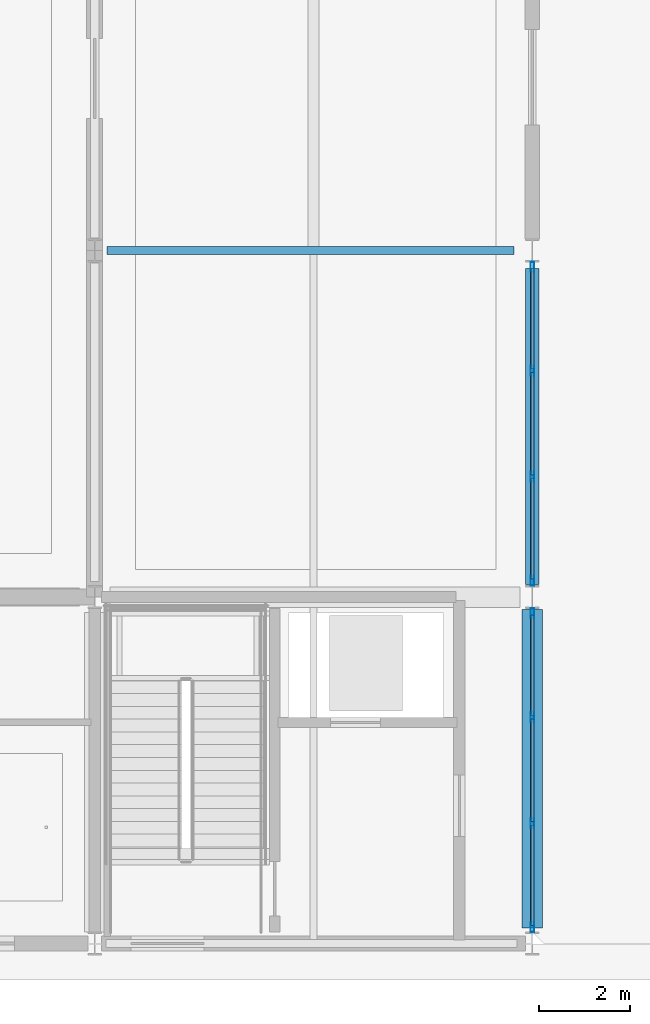
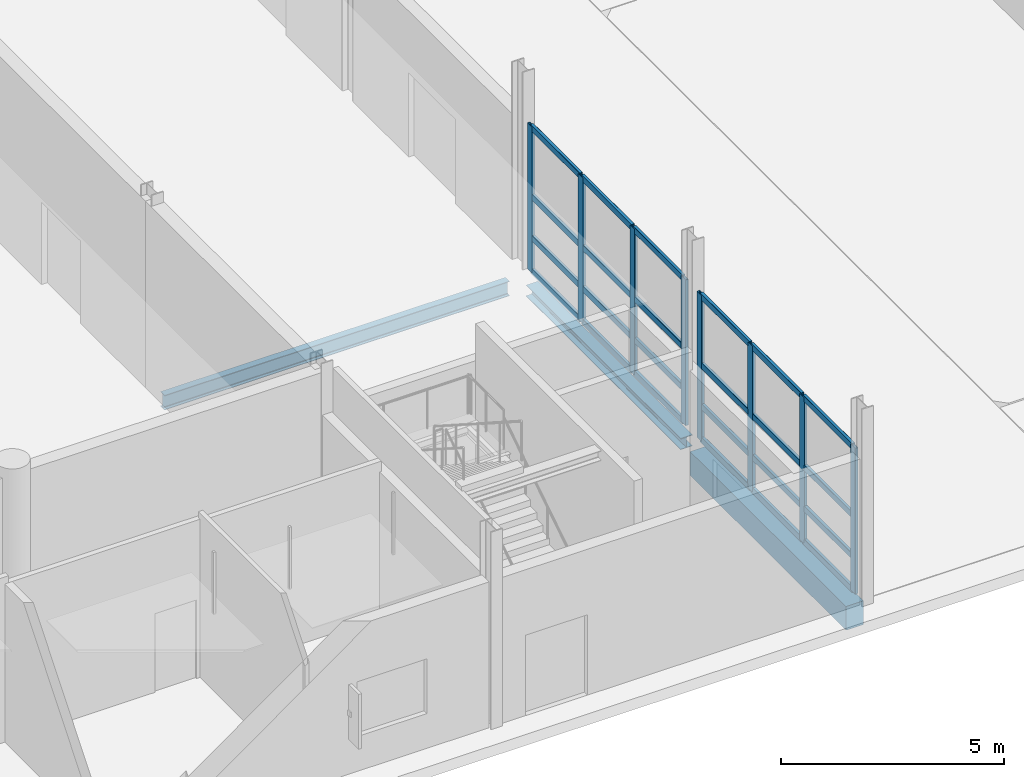
# One storey, part 12 of 126: 32 members, 3 beams, 2 elements without a shape of their own.
"""IFC4 building model written with IfcOpenShell, lengths in metres."""

from ifc_helpers import new_model, si_unit, direction, frame, origin, origin_2d, place, context, subcontext, project, spatial, rectangle, hollow_rectangle, i_section, extrude, material, material_profile, profile_set, type_object, element, aggregate, save


model = new_model("IFC4")

# Units and contexts
model_context = context("Model", 3, precision=1e-05, world=origin(), true_north=direction((0.0, 1.0)))
body_context = subcontext(model_context, "Body", "Model", "MODEL_VIEW")
ifc_project = project(units=[si_unit("LENGTHUNIT", "METRE"), si_unit("AREAUNIT", "SQUARE_METRE"), si_unit("VOLUMEUNIT", "CUBIC_METRE"), si_unit("PLANEANGLEUNIT", "RADIAN"), si_unit("MASSUNIT", "GRAM", prefix="KILO")], contexts=[model_context])

# Site, building, storey
site_placement = place(None, origin())
site = spatial("IfcSite", under=ifc_project, at=site_placement, CompositionType="ELEMENT")
building_placement = place(site_placement, origin())
building = spatial("IfcBuilding", under=site, at=building_placement, Name="Khelvaren Railside Concert Hall", CompositionType="ELEMENT")
storey_placement = place(building_placement, origin())
storey = spatial("IfcBuildingStorey", under=building, at=storey_placement, Name="L00", CompositionType="ELEMENT", Elevation=0.0)

# Beam
ifc_material_1 = material(Name="Steel S355", Category="steel")
ifc_material_profile_1 = material_profile(ifc_material_1, i_section(OverallWidth=0.179931640625, OverallDepth=0.39990234375, WebThickness=0.008544921875, FlangeThickness=0.013427734375, FilletRadius=0.02099609375, at=origin_2d()), Name="IPE 400")
ifc_profile_set_1 = profile_set([ifc_material_profile_1], Name="Steel S355")
beam_type_1 = type_object("IfcBeamType", Name="BM29", PredefinedType="BEAM", material=ifc_profile_set_1)
beam_1_placement = place(storey_placement, frame((40.27294921875, 15.199951171875, -0.52001953125), z_axis=(1.0, 0.0, 0.0), x_axis=(0.0, 1.0, 0.0)))
element("IfcBeam", 1, at=beam_1_placement, inside=storey, type_object=beam_type_1, Name="V1 L00 Beam X3.6", PredefinedType="BEAM", context=body_context, shape_type="SweptSolid", body=[
    extrude(i_section(OverallWidth=0.179931640625, OverallDepth=0.39990234375, WebThickness=0.008544921875, FlangeThickness=0.013427734375, FilletRadius=0.02099609375, at=origin_2d()), origin(), (0.0, 0.0, 1.0), 8.927001953125),
])

# Curtain wall, members
ifc_material_2 = material(Name="Triple-glazed solar-control glass", Category="glass")
curtain_wall_type_1 = type_object("IfcCurtainWallType", Name="CW88", PredefinedType="USERDEFINED", material=ifc_material_2)
curtain_wall_1_placement = place(storey_placement, origin())
curtain_wall_1 = element("IfcCurtainWall", 2, at=curtain_wall_1_placement, inside=storey, type_object=curtain_wall_type_1, Name="Unitised Curtain Wall CW-V1-L00-E-0", ObjectType="UNITISED CURTAIN WALL", PredefinedType="USERDEFINED")
ifc_material_3 = material(Name="Anodised architectural aluminium 6063-T6", Category="aluminium")
ifc_material_profile_2 = material_profile(ifc_material_3, hollow_rectangle(XDim=0.074951171875, YDim=0.219970703125, WallThickness=0.0048828125, InnerFilletRadius=0.0029296875, OuterFilletRadius=0.0048828125, at=origin_2d()), Name="CWM 75x220x5")
ifc_profile_set_2 = profile_set([ifc_material_profile_2], Name="Anodised architectural aluminium 6063-T6")
member_type_1 = type_object("IfcMemberType", Name="CWM13", PredefinedType="MULLION", material=ifc_profile_set_2)
member_1_placement = place(storey_placement, frame((49.60009765625, 7.239990234375, 0.0), z_axis=(0.0, 0.0, 1.0), x_axis=(1.0, 0.0, 0.0)))
member_1 = element("IfcMember", 3, at=member_1_placement, type_object=member_type_1, Name="CW88 mullion 1", PredefinedType="MULLION", context=body_context, shape_type="SweptSolid", body=[
    extrude(hollow_rectangle(XDim=0.074951171875, YDim=0.219970703125, WallThickness=0.0048828125, InnerFilletRadius=0.0029296875, OuterFilletRadius=0.0048828125, at=origin_2d()), origin(), (0.0, 0.0, 1.0), 3.989990234375),
])
member_2_placement = place(storey_placement, frame((49.60009765625, 4.959228515625, 0.0), z_axis=(0.0, 0.0, 1.0), x_axis=(1.0, 0.0, 0.0)))
member_2 = element("IfcMember", 4, at=member_2_placement, type_object=member_type_1, Name="CW88 mullion 2", PredefinedType="MULLION", context=body_context, shape_type="SweptSolid", body=[
    extrude(hollow_rectangle(XDim=0.074951171875, YDim=0.219970703125, WallThickness=0.0048828125, InnerFilletRadius=0.0029296875, OuterFilletRadius=0.0048828125, at=origin_2d()), origin(), (0.0, 0.0, 1.0), 3.989990234375),
])
member_3_placement = place(storey_placement, frame((49.60009765625, 2.640869140625, 0.0), z_axis=(0.0, 0.0, 1.0), x_axis=(1.0, 0.0, 0.0)))
member_3 = element("IfcMember", 5, at=member_3_placement, type_object=member_type_1, Name="CW88 mullion 3", PredefinedType="MULLION", context=body_context, shape_type="SweptSolid", body=[
    extrude(hollow_rectangle(XDim=0.074951171875, YDim=0.219970703125, WallThickness=0.0048828125, InnerFilletRadius=0.0029296875, OuterFilletRadius=0.0048828125, at=origin_2d()), origin(), (0.0, 0.0, 1.0), 3.989990234375),
])
member_4_placement = place(storey_placement, frame((49.60009765625, 0.360107421875, 0.0), z_axis=(0.0, 0.0, 1.0), x_axis=(1.0, 0.0, 0.0)))
member_4 = element("IfcMember", 6, at=member_4_placement, type_object=member_type_1, Name="CW88 mullion 4", PredefinedType="MULLION", context=body_context, shape_type="SweptSolid", body=[
    extrude(hollow_rectangle(XDim=0.074951171875, YDim=0.219970703125, WallThickness=0.0048828125, InnerFilletRadius=0.0029296875, OuterFilletRadius=0.0048828125, at=origin_2d()), origin(), (0.0, 0.0, 1.0), 3.989990234375),
])

curtain_wall_type_2 = type_object("IfcCurtainWallType", Name="CW14", PredefinedType="USERDEFINED", material=ifc_material_2)
curtain_wall_2_placement = place(storey_placement, origin())
curtain_wall_2 = element("IfcCurtainWall", 7, at=curtain_wall_2_placement, inside=storey, type_object=curtain_wall_type_2, Name="Unitised Curtain Wall CW-V1-L00-E-8", ObjectType="UNITISED CURTAIN WALL", PredefinedType="USERDEFINED")
member_5_placement = place(storey_placement, frame((49.60009765625, 14.840087890625, 0.0), z_axis=(0.0, 0.0, 1.0), x_axis=(1.0, 0.0, 0.0)))
member_5 = element("IfcMember", 8, at=member_5_placement, type_object=member_type_1, Name="CW14 mullion 1", PredefinedType="MULLION", context=body_context, shape_type="SweptSolid", body=[
    extrude(hollow_rectangle(XDim=0.074951171875, YDim=0.219970703125, WallThickness=0.0048828125, InnerFilletRadius=0.0029296875, OuterFilletRadius=0.0048828125, at=origin_2d()), origin(), (0.0, 0.0, 1.0), 3.989990234375),
])
member_6_placement = place(storey_placement, frame((49.60009765625, 12.55908203125, 0.0), z_axis=(0.0, 0.0, 1.0), x_axis=(1.0, 0.0, 0.0)))
member_6 = element("IfcMember", 9, at=member_6_placement, type_object=member_type_1, Name="CW14 mullion 2", PredefinedType="MULLION", context=body_context, shape_type="SweptSolid", body=[
    extrude(hollow_rectangle(XDim=0.074951171875, YDim=0.219970703125, WallThickness=0.0048828125, InnerFilletRadius=0.0029296875, OuterFilletRadius=0.0048828125, at=origin_2d()), origin(), (0.0, 0.0, 1.0), 3.989990234375),
])
member_7_placement = place(storey_placement, frame((49.60009765625, 10.24072265625, 0.0), z_axis=(0.0, 0.0, 1.0), x_axis=(1.0, 0.0, 0.0)))
member_7 = element("IfcMember", 10, at=member_7_placement, type_object=member_type_1, Name="CW14 mullion 3", PredefinedType="MULLION", context=body_context, shape_type="SweptSolid", body=[
    extrude(hollow_rectangle(XDim=0.074951171875, YDim=0.219970703125, WallThickness=0.0048828125, InnerFilletRadius=0.0029296875, OuterFilletRadius=0.0048828125, at=origin_2d()), origin(), (0.0, 0.0, 1.0), 3.989990234375),
])
member_8_placement = place(storey_placement, frame((49.60009765625, 7.9599609375, 0.0), z_axis=(0.0, 0.0, 1.0), x_axis=(1.0, 0.0, 0.0)))
member_8 = element("IfcMember", 11, at=member_8_placement, type_object=member_type_1, Name="CW14 mullion 4", PredefinedType="MULLION", context=body_context, shape_type="SweptSolid", body=[
    extrude(hollow_rectangle(XDim=0.074951171875, YDim=0.219970703125, WallThickness=0.0048828125, InnerFilletRadius=0.0029296875, OuterFilletRadius=0.0048828125, at=origin_2d()), origin(), (0.0, 0.0, 1.0), 3.989990234375),
])

# Member
ifc_material_profile_3 = material_profile(ifc_material_3, hollow_rectangle(XDim=0.074951171875, YDim=0.1650390625, WallThickness=0.00390625, InnerFilletRadius=0.001953125, OuterFilletRadius=0.00390625, at=origin_2d()), Name="CWT 75x165x4")
ifc_profile_set_3 = profile_set([ifc_material_profile_3], Name="Anodised architectural aluminium 6063-T6")
member_type_2 = type_object("IfcMemberType", Name="CWT46", PredefinedType="USERDEFINED", material=ifc_profile_set_3)
member_9_placement = place(storey_placement, frame((49.60009765625, 7.202392578125, 0.03759765625), z_axis=(0.0, -1.0, 0.0), x_axis=(1.0, 0.0, 0.0)))
member_9 = element("IfcMember", 12, at=member_9_placement, type_object=member_type_2, Name="CW88 transom 1.1", ObjectType="TRANSOM", PredefinedType="USERDEFINED", context=body_context, shape_type="SweptSolid", body=[
    extrude(hollow_rectangle(XDim=0.074951171875, YDim=0.1650390625, WallThickness=0.00390625, InnerFilletRadius=0.001953125, OuterFilletRadius=0.00390625, at=origin_2d()), origin(), (0.0, 0.0, 1.0), 2.205810546875),
])

member_10_placement = place(storey_placement, frame((49.60009765625, 7.202392578125, 0.949951171875), z_axis=(0.0, -1.0, 0.0), x_axis=(1.0, 0.0, 0.0)))
member_10 = element("IfcMember", 13, at=member_10_placement, type_object=member_type_2, Name="CW88 transom 1.2", ObjectType="TRANSOM", PredefinedType="USERDEFINED", context=body_context, shape_type="SweptSolid", body=[
    extrude(hollow_rectangle(XDim=0.074951171875, YDim=0.1650390625, WallThickness=0.00390625, InnerFilletRadius=0.001953125, OuterFilletRadius=0.00390625, at=origin_2d()), origin(), (0.0, 0.0, 1.0), 2.205810546875),
])

member_11_placement = place(storey_placement, frame((49.60009765625, 7.202392578125, 2.07470703125), z_axis=(0.0, -1.0, 0.0), x_axis=(1.0, 0.0, 0.0)))
member_11 = element("IfcMember", 14, at=member_11_placement, type_object=member_type_2, Name="CW88 transom 1.3", ObjectType="TRANSOM", PredefinedType="USERDEFINED", context=body_context, shape_type="SweptSolid", body=[
    extrude(hollow_rectangle(XDim=0.074951171875, YDim=0.1650390625, WallThickness=0.00390625, InnerFilletRadius=0.001953125, OuterFilletRadius=0.00390625, at=origin_2d()), origin(), (0.0, 0.0, 1.0), 2.205810546875),
])

member_12_placement = place(storey_placement, frame((49.60009765625, 7.202392578125, 3.952392578125), z_axis=(0.0, -1.0, 0.0), x_axis=(1.0, 0.0, 0.0)))
member_12 = element("IfcMember", 15, at=member_12_placement, type_object=member_type_2, Name="CW88 transom 1.4", ObjectType="TRANSOM", PredefinedType="USERDEFINED", context=body_context, shape_type="SweptSolid", body=[
    extrude(hollow_rectangle(XDim=0.074951171875, YDim=0.1650390625, WallThickness=0.00390625, InnerFilletRadius=0.001953125, OuterFilletRadius=0.00390625, at=origin_2d()), origin(), (0.0, 0.0, 1.0), 2.205810546875),
])

member_13_placement = place(storey_placement, frame((49.60009765625, 4.921630859375, 0.03759765625), z_axis=(0.0, -1.0, 0.0), x_axis=(1.0, 0.0, 0.0)))
member_13 = element("IfcMember", 16, at=member_13_placement, type_object=member_type_2, Name="CW88 transom 2.1", ObjectType="TRANSOM", PredefinedType="USERDEFINED", context=body_context, shape_type="SweptSolid", body=[
    extrude(hollow_rectangle(XDim=0.074951171875, YDim=0.1650390625, WallThickness=0.00390625, InnerFilletRadius=0.001953125, OuterFilletRadius=0.00390625, at=origin_2d()), origin(), (0.0, 0.0, 1.0), 2.243408203125),
])

member_14_placement = place(storey_placement, frame((49.60009765625, 4.921630859375, 0.949951171875), z_axis=(0.0, -1.0, 0.0), x_axis=(1.0, 0.0, 0.0)))
member_14 = element("IfcMember", 17, at=member_14_placement, type_object=member_type_2, Name="CW88 transom 2.2", ObjectType="TRANSOM", PredefinedType="USERDEFINED", context=body_context, shape_type="SweptSolid", body=[
    extrude(hollow_rectangle(XDim=0.074951171875, YDim=0.1650390625, WallThickness=0.00390625, InnerFilletRadius=0.001953125, OuterFilletRadius=0.00390625, at=origin_2d()), origin(), (0.0, 0.0, 1.0), 2.243408203125),
])

member_15_placement = place(storey_placement, frame((49.60009765625, 4.921630859375, 2.07470703125), z_axis=(0.0, -1.0, 0.0), x_axis=(1.0, 0.0, 0.0)))
member_15 = element("IfcMember", 18, at=member_15_placement, type_object=member_type_2, Name="CW88 transom 2.3", ObjectType="TRANSOM", PredefinedType="USERDEFINED", context=body_context, shape_type="SweptSolid", body=[
    extrude(hollow_rectangle(XDim=0.074951171875, YDim=0.1650390625, WallThickness=0.00390625, InnerFilletRadius=0.001953125, OuterFilletRadius=0.00390625, at=origin_2d()), origin(), (0.0, 0.0, 1.0), 2.243408203125),
])

member_16_placement = place(storey_placement, frame((49.60009765625, 4.921630859375, 3.952392578125), z_axis=(0.0, -1.0, 0.0), x_axis=(1.0, 0.0, 0.0)))
member_16 = element("IfcMember", 19, at=member_16_placement, type_object=member_type_2, Name="CW88 transom 2.4", ObjectType="TRANSOM", PredefinedType="USERDEFINED", context=body_context, shape_type="SweptSolid", body=[
    extrude(hollow_rectangle(XDim=0.074951171875, YDim=0.1650390625, WallThickness=0.00390625, InnerFilletRadius=0.001953125, OuterFilletRadius=0.00390625, at=origin_2d()), origin(), (0.0, 0.0, 1.0), 2.243408203125),
])

member_17_placement = place(storey_placement, frame((49.60009765625, 2.603271484375, 0.03759765625), z_axis=(0.0, -1.0, 0.0), x_axis=(1.0, 0.0, 0.0)))
member_17 = element("IfcMember", 20, at=member_17_placement, type_object=member_type_2, Name="CW88 transom 3.1", ObjectType="TRANSOM", PredefinedType="USERDEFINED", context=body_context, shape_type="SweptSolid", body=[
    extrude(hollow_rectangle(XDim=0.074951171875, YDim=0.1650390625, WallThickness=0.00390625, InnerFilletRadius=0.001953125, OuterFilletRadius=0.00390625, at=origin_2d()), origin(), (0.0, 0.0, 1.0), 2.205810546875),
])

member_18_placement = place(storey_placement, frame((49.60009765625, 2.603271484375, 0.949951171875), z_axis=(0.0, -1.0, 0.0), x_axis=(1.0, 0.0, 0.0)))
member_18 = element("IfcMember", 21, at=member_18_placement, type_object=member_type_2, Name="CW88 transom 3.2", ObjectType="TRANSOM", PredefinedType="USERDEFINED", context=body_context, shape_type="SweptSolid", body=[
    extrude(hollow_rectangle(XDim=0.074951171875, YDim=0.1650390625, WallThickness=0.00390625, InnerFilletRadius=0.001953125, OuterFilletRadius=0.00390625, at=origin_2d()), origin(), (0.0, 0.0, 1.0), 2.205810546875),
])

member_19_placement = place(storey_placement, frame((49.60009765625, 2.603271484375, 2.07470703125), z_axis=(0.0, -1.0, 0.0), x_axis=(1.0, 0.0, 0.0)))
member_19 = element("IfcMember", 22, at=member_19_placement, type_object=member_type_2, Name="CW88 transom 3.3", ObjectType="TRANSOM", PredefinedType="USERDEFINED", context=body_context, shape_type="SweptSolid", body=[
    extrude(hollow_rectangle(XDim=0.074951171875, YDim=0.1650390625, WallThickness=0.00390625, InnerFilletRadius=0.001953125, OuterFilletRadius=0.00390625, at=origin_2d()), origin(), (0.0, 0.0, 1.0), 2.205810546875),
])

member_20_placement = place(storey_placement, frame((49.60009765625, 2.603271484375, 3.952392578125), z_axis=(0.0, -1.0, 0.0), x_axis=(1.0, 0.0, 0.0)))
member_20 = element("IfcMember", 23, at=member_20_placement, type_object=member_type_2, Name="CW88 transom 3.4", ObjectType="TRANSOM", PredefinedType="USERDEFINED", context=body_context, shape_type="SweptSolid", body=[
    extrude(hollow_rectangle(XDim=0.074951171875, YDim=0.1650390625, WallThickness=0.00390625, InnerFilletRadius=0.001953125, OuterFilletRadius=0.00390625, at=origin_2d()), origin(), (0.0, 0.0, 1.0), 2.205810546875),
])

aggregate(curtain_wall_1, [member_1, member_2, member_3, member_4, member_9, member_10, member_11, member_12, member_13, member_14, member_15, member_16, member_17, member_18, member_19, member_20])

member_21_placement = place(storey_placement, frame((49.60009765625, 14.802490234375, 0.03759765625), z_axis=(0.0, -1.0, 0.0), x_axis=(1.0, 0.0, 0.0)))
member_21 = element("IfcMember", 24, at=member_21_placement, type_object=member_type_2, Name="CW14 transom 1.1", ObjectType="TRANSOM", PredefinedType="USERDEFINED", context=body_context, shape_type="SweptSolid", body=[
    extrude(hollow_rectangle(XDim=0.074951171875, YDim=0.1650390625, WallThickness=0.00390625, InnerFilletRadius=0.001953125, OuterFilletRadius=0.00390625, at=origin_2d()), origin(), (0.0, 0.0, 1.0), 2.205810546875),
])

member_22_placement = place(storey_placement, frame((49.60009765625, 14.802490234375, 0.949951171875), z_axis=(0.0, -1.0, 0.0), x_axis=(1.0, 0.0, 0.0)))
member_22 = element("IfcMember", 25, at=member_22_placement, type_object=member_type_2, Name="CW14 transom 1.2", ObjectType="TRANSOM", PredefinedType="USERDEFINED", context=body_context, shape_type="SweptSolid", body=[
    extrude(hollow_rectangle(XDim=0.074951171875, YDim=0.1650390625, WallThickness=0.00390625, InnerFilletRadius=0.001953125, OuterFilletRadius=0.00390625, at=origin_2d()), origin(), (0.0, 0.0, 1.0), 2.205810546875),
])

member_23_placement = place(storey_placement, frame((49.60009765625, 14.802490234375, 2.07470703125), z_axis=(0.0, -1.0, 0.0), x_axis=(1.0, 0.0, 0.0)))
member_23 = element("IfcMember", 26, at=member_23_placement, type_object=member_type_2, Name="CW14 transom 1.3", ObjectType="TRANSOM", PredefinedType="USERDEFINED", context=body_context, shape_type="SweptSolid", body=[
    extrude(hollow_rectangle(XDim=0.074951171875, YDim=0.1650390625, WallThickness=0.00390625, InnerFilletRadius=0.001953125, OuterFilletRadius=0.00390625, at=origin_2d()), origin(), (0.0, 0.0, 1.0), 2.205810546875),
])

member_24_placement = place(storey_placement, frame((49.60009765625, 14.802490234375, 3.952392578125), z_axis=(0.0, -1.0, 0.0), x_axis=(1.0, 0.0, 0.0)))
member_24 = element("IfcMember", 27, at=member_24_placement, type_object=member_type_2, Name="CW14 transom 1.4", ObjectType="TRANSOM", PredefinedType="USERDEFINED", context=body_context, shape_type="SweptSolid", body=[
    extrude(hollow_rectangle(XDim=0.074951171875, YDim=0.1650390625, WallThickness=0.00390625, InnerFilletRadius=0.001953125, OuterFilletRadius=0.00390625, at=origin_2d()), origin(), (0.0, 0.0, 1.0), 2.205810546875),
])

member_25_placement = place(storey_placement, frame((49.60009765625, 12.521728515625, 0.03759765625), z_axis=(0.0, -1.0, 0.0), x_axis=(1.0, 0.0, 0.0)))
member_25 = element("IfcMember", 28, at=member_25_placement, type_object=member_type_2, Name="CW14 transom 2.1", ObjectType="TRANSOM", PredefinedType="USERDEFINED", context=body_context, shape_type="SweptSolid", body=[
    extrude(hollow_rectangle(XDim=0.074951171875, YDim=0.1650390625, WallThickness=0.00390625, InnerFilletRadius=0.001953125, OuterFilletRadius=0.00390625, at=origin_2d()), origin(), (0.0, 0.0, 1.0), 2.243408203125),
])

member_26_placement = place(storey_placement, frame((49.60009765625, 12.521728515625, 0.949951171875), z_axis=(0.0, -1.0, 0.0), x_axis=(1.0, 0.0, 0.0)))
member_26 = element("IfcMember", 29, at=member_26_placement, type_object=member_type_2, Name="CW14 transom 2.2", ObjectType="TRANSOM", PredefinedType="USERDEFINED", context=body_context, shape_type="SweptSolid", body=[
    extrude(hollow_rectangle(XDim=0.074951171875, YDim=0.1650390625, WallThickness=0.00390625, InnerFilletRadius=0.001953125, OuterFilletRadius=0.00390625, at=origin_2d()), origin(), (0.0, 0.0, 1.0), 2.243408203125),
])

member_27_placement = place(storey_placement, frame((49.60009765625, 12.521728515625, 2.07470703125), z_axis=(0.0, -1.0, 0.0), x_axis=(1.0, 0.0, 0.0)))
member_27 = element("IfcMember", 30, at=member_27_placement, type_object=member_type_2, Name="CW14 transom 2.3", ObjectType="TRANSOM", PredefinedType="USERDEFINED", context=body_context, shape_type="SweptSolid", body=[
    extrude(hollow_rectangle(XDim=0.074951171875, YDim=0.1650390625, WallThickness=0.00390625, InnerFilletRadius=0.001953125, OuterFilletRadius=0.00390625, at=origin_2d()), origin(), (0.0, 0.0, 1.0), 2.243408203125),
])

member_28_placement = place(storey_placement, frame((49.60009765625, 12.521728515625, 3.952392578125), z_axis=(0.0, -1.0, 0.0), x_axis=(1.0, 0.0, 0.0)))
member_28 = element("IfcMember", 31, at=member_28_placement, type_object=member_type_2, Name="CW14 transom 2.4", ObjectType="TRANSOM", PredefinedType="USERDEFINED", context=body_context, shape_type="SweptSolid", body=[
    extrude(hollow_rectangle(XDim=0.074951171875, YDim=0.1650390625, WallThickness=0.00390625, InnerFilletRadius=0.001953125, OuterFilletRadius=0.00390625, at=origin_2d()), origin(), (0.0, 0.0, 1.0), 2.243408203125),
])

member_29_placement = place(storey_placement, frame((49.60009765625, 10.203369140625, 0.03759765625), z_axis=(0.0, -1.0, 0.0), x_axis=(1.0, 0.0, 0.0)))
member_29 = element("IfcMember", 32, at=member_29_placement, type_object=member_type_2, Name="CW14 transom 3.1", ObjectType="TRANSOM", PredefinedType="USERDEFINED", context=body_context, shape_type="SweptSolid", body=[
    extrude(hollow_rectangle(XDim=0.074951171875, YDim=0.1650390625, WallThickness=0.00390625, InnerFilletRadius=0.001953125, OuterFilletRadius=0.00390625, at=origin_2d()), origin(), (0.0, 0.0, 1.0), 2.205810546875),
])

member_30_placement = place(storey_placement, frame((49.60009765625, 10.203369140625, 0.949951171875), z_axis=(0.0, -1.0, 0.0), x_axis=(1.0, 0.0, 0.0)))
member_30 = element("IfcMember", 33, at=member_30_placement, type_object=member_type_2, Name="CW14 transom 3.2", ObjectType="TRANSOM", PredefinedType="USERDEFINED", context=body_context, shape_type="SweptSolid", body=[
    extrude(hollow_rectangle(XDim=0.074951171875, YDim=0.1650390625, WallThickness=0.00390625, InnerFilletRadius=0.001953125, OuterFilletRadius=0.00390625, at=origin_2d()), origin(), (0.0, 0.0, 1.0), 2.205810546875),
])

member_31_placement = place(storey_placement, frame((49.60009765625, 10.203369140625, 2.07470703125), z_axis=(0.0, -1.0, 0.0), x_axis=(1.0, 0.0, 0.0)))
member_31 = element("IfcMember", 34, at=member_31_placement, type_object=member_type_2, Name="CW14 transom 3.3", ObjectType="TRANSOM", PredefinedType="USERDEFINED", context=body_context, shape_type="SweptSolid", body=[
    extrude(hollow_rectangle(XDim=0.074951171875, YDim=0.1650390625, WallThickness=0.00390625, InnerFilletRadius=0.001953125, OuterFilletRadius=0.00390625, at=origin_2d()), origin(), (0.0, 0.0, 1.0), 2.205810546875),
])

member_32_placement = place(storey_placement, frame((49.60009765625, 10.203369140625, 3.952392578125), z_axis=(0.0, -1.0, 0.0), x_axis=(1.0, 0.0, 0.0)))
member_32 = element("IfcMember", 35, at=member_32_placement, type_object=member_type_2, Name="CW14 transom 3.4", ObjectType="TRANSOM", PredefinedType="USERDEFINED", context=body_context, shape_type="SweptSolid", body=[
    extrude(hollow_rectangle(XDim=0.074951171875, YDim=0.1650390625, WallThickness=0.00390625, InnerFilletRadius=0.001953125, OuterFilletRadius=0.00390625, at=origin_2d()), origin(), (0.0, 0.0, 1.0), 2.205810546875),
])

aggregate(curtain_wall_2, [member_5, member_6, member_7, member_8, member_21, member_22, member_23, member_24, member_25, member_26, member_27, member_28, member_29, member_30, member_31, member_32])

# Beams
ifc_material_4 = material(Name="Concrete C40/50", Category="concrete")
ifc_material_profile_4 = material_profile(ifc_material_4, rectangle(XDim=0.449951171875, YDim=0.64990234375, at=origin_2d()), Name="RCB 450x650")
ifc_profile_set_4 = profile_set([ifc_material_profile_4], Name="Concrete C40/50")
beam_type_2 = type_object("IfcBeamType", Name="SP34", PredefinedType="SPANDREL", material=ifc_profile_set_4)
beam_2_placement = place(storey_placement, frame((49.60009765625, 0.3359375, -0.64501953125), z_axis=(0.0, 1.0, 0.0), x_axis=(-1.0, 0.0, 0.0)))
element("IfcBeam", 36, at=beam_2_placement, inside=storey, type_object=beam_type_2, Name="V1 L00 Spandrel Y7.1", PredefinedType="SPANDREL", context=body_context, shape_type="SweptSolid", body=[
    extrude(rectangle(XDim=0.449951171875, YDim=0.64990234375, at=origin_2d()), origin(), (0.0, 0.0, 1.0), 6.990966796875),
])
ifc_material_profile_5 = material_profile(ifc_material_1, i_section(OverallWidth=0.300048828125, OverallDepth=0.31005859375, WebThickness=0.009033203125, FlangeThickness=0.015380859375, FilletRadius=0.027099609375, at=origin_2d()), Name="HEA 320")
ifc_profile_set_5 = profile_set([ifc_material_profile_5], Name="Steel S355")
beam_type_3 = type_object("IfcBeamType", Name="SP66", PredefinedType="SPANDREL", material=ifc_profile_set_5)
beam_3_placement = place(storey_placement, frame((49.60009765625, 7.873046875, -0.47509765625), z_axis=(0.0, 1.0, 0.0), x_axis=(-1.0, 0.0, 0.0)))
element("IfcBeam", 37, at=beam_3_placement, inside=storey, type_object=beam_type_3, Name="V1 L00 Spandrel Y7.2", PredefinedType="SPANDREL", context=body_context, shape_type="SweptSolid", body=[
    extrude(i_section(OverallWidth=0.300048828125, OverallDepth=0.31005859375, WebThickness=0.009033203125, FlangeThickness=0.015380859375, FilletRadius=0.027099609375, at=origin_2d()), origin(), (0.0, 0.0, 1.0), 6.927001953125),
])

save(model, "model.ifc")
